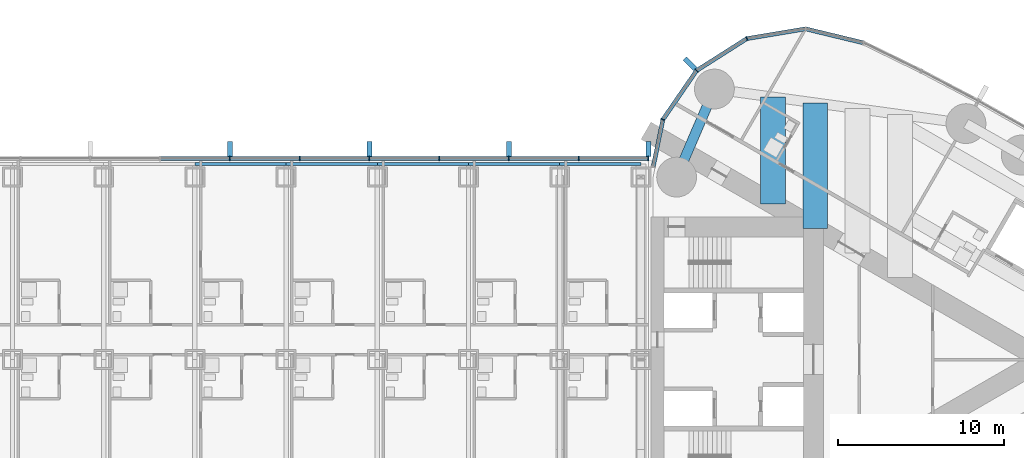
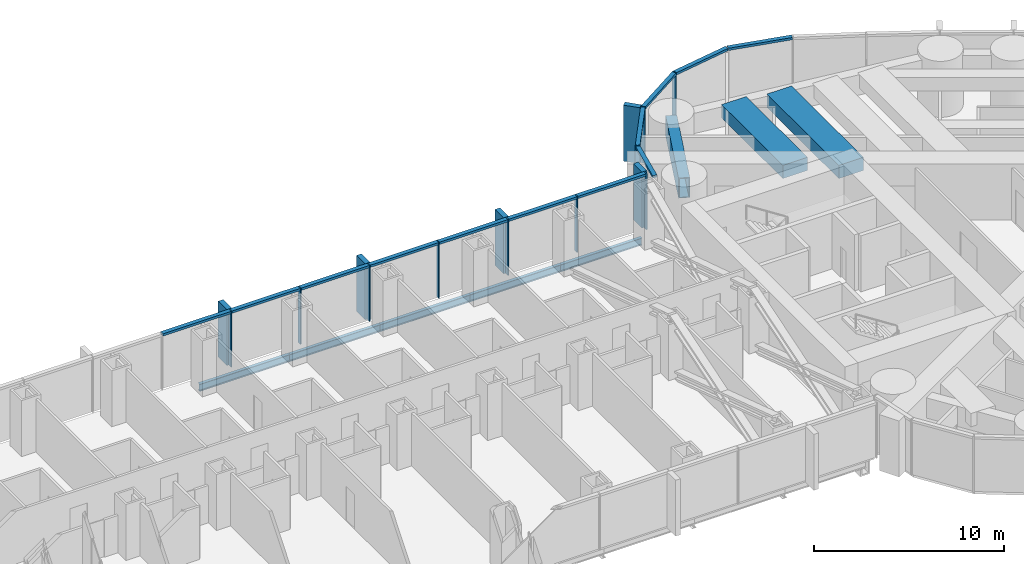
# One storey, part 10 of 23: 27 members, 8 beams, 2 elements without a shape of their own.
"""IFC4 building model written with IfcOpenShell, lengths in metres."""

from ifc_helpers import new_model, si_unit, direction, frame, origin, origin_2d, place, context, subcontext, project, spatial, rectangle, hollow_rectangle, i_section, extrude, material, material_profile, profile_set, type_object, element, aggregate, save


model = new_model("IFC4")

# Units and contexts
model_context = context("Model", 3, precision=1e-05, world=origin(), true_north=direction((0.0, 1.0)))
body_context = subcontext(model_context, "Body", "Model", "MODEL_VIEW")
ifc_project = project(units=[si_unit("LENGTHUNIT", "METRE"), si_unit("AREAUNIT", "SQUARE_METRE"), si_unit("VOLUMEUNIT", "CUBIC_METRE"), si_unit("PLANEANGLEUNIT", "RADIAN"), si_unit("MASSUNIT", "GRAM", prefix="KILO")], contexts=[model_context])

# Site, building, storey
site_placement = place(None, origin())
site = spatial("IfcSite", under=ifc_project, at=site_placement, CompositionType="ELEMENT")
building_placement = place(site_placement, origin())
building = spatial("IfcBuilding", under=site, at=building_placement, Name="Lancet Gate Hotel", CompositionType="ELEMENT")
storey_placement = place(building_placement, frame((0.0, 0.0, 215.300048828125)))
storey = spatial("IfcBuildingStorey", under=building, at=storey_placement, Name="L57", CompositionType="ELEMENT", Elevation=215.300048828125)

# Curtain wall, members
ifc_material_1 = material(Name="Aluminium curtain wall", Category="aluminium")
curtain_wall_type_1 = type_object("IfcCurtainWallType", Name="Tower unitised curtain wall", PredefinedType="USERDEFINED", material=ifc_material_1)
curtain_wall_1_placement = place(storey_placement, origin())
curtain_wall_1 = element("IfcCurtainWall", 1, at=curtain_wall_1_placement, inside=storey, type_object=curtain_wall_type_1, Name="T2 L57 curtain wall 1", ObjectType="UNITISED CURTAIN WALL", PredefinedType="USERDEFINED")
ifc_material_2 = material(Name="Aluminium mullion", Category="aluminium")
ifc_material_profile_1 = material_profile(ifc_material_2, rectangle(XDim=0.06494140625, YDim=0.25, at=origin_2d()), Name="MULLION 65x250")
ifc_profile_set_1 = profile_set([ifc_material_profile_1], Name="Aluminium mullion")
member_type_1 = type_object("IfcMemberType", Name="Aluminium mullion 65x250", PredefinedType="MULLION", material=ifc_profile_set_1)
member_1_placement = place(storey_placement, frame((33.283203125, 19.353515625, 0.0), z_axis=(0.0, 0.0, 1.0), x_axis=(-0.93394321776, -0.357421412343, 0.0)))
member_1 = element("IfcMember", 2, at=member_1_placement, type_object=member_type_1, Name="T2 L57 curtain wall 1 mullion 24", PredefinedType="MULLION", context=body_context, shape_type="SweptSolid", body=[
    extrude(rectangle(XDim=0.06494140625, YDim=0.25, at=origin_2d()), origin(), (0.0, 0.0, 1.0), 3.599853515625),
])
member_2_placement = place(storey_placement, frame((30.25244140625, 17.42626953125, 0.0), z_axis=(0.0, 0.0, 1.0), x_axis=(-0.719809077627, -0.694172090886, 0.0)))
member_2 = element("IfcMember", 3, at=member_2_placement, type_object=member_type_1, Name="T2 L57 curtain wall 1 mullion 25", PredefinedType="MULLION", context=body_context, shape_type="SweptSolid", body=[
    extrude(rectangle(XDim=0.06494140625, YDim=0.25, at=origin_2d()), origin(), (0.0, 0.0, 1.0), 3.599853515625),
])
member_3_placement = place(storey_placement, frame((28.216552734375, 14.467529296875, 0.0), z_axis=(0.0, 0.0, 1.0), x_axis=(-0.410881108328, -0.911688935339, 0.0)))
member_3 = element("IfcMember", 4, at=member_3_placement, type_object=member_type_1, Name="T2 L57 curtain wall 1 mullion 26", PredefinedType="MULLION", context=body_context, shape_type="SweptSolid", body=[
    extrude(rectangle(XDim=0.06494140625, YDim=0.25, at=origin_2d()), origin(), (0.0, 0.0, 1.0), 3.599853515625),
])

ifc_material_3 = material(Name="Aluminium curtain wall", Category="aluminium")
curtain_wall_type_2 = type_object("IfcCurtainWallType", Name="Bridge block curtain wall", PredefinedType="USERDEFINED", material=ifc_material_3)
curtain_wall_2_placement = place(storey_placement, origin())
curtain_wall_2 = element("IfcCurtainWall", 5, at=curtain_wall_2_placement, inside=storey, type_object=curtain_wall_type_2, Name="Bridge block L57 curtain wall N", ObjectType="UNITISED CURTAIN WALL", PredefinedType="USERDEFINED")
member_4_placement = place(storey_placement, frame((27.35009765625, 12.1201171875, 0.0), z_axis=(0.0, 0.0, 1.0), x_axis=(-1.0, 0.0, 0.0)))
member_4 = element("IfcMember", 6, at=member_4_placement, type_object=member_type_1, Name="Bridge block L57 curtain wall N mullion 1", PredefinedType="MULLION", context=body_context, shape_type="SweptSolid", body=[
    extrude(rectangle(XDim=0.06494140625, YDim=0.25, at=origin_2d()), origin(), (0.0, 0.0, 1.0), 3.599853515625),
])
member_5_placement = place(storey_placement, frame((23.142333984375, 12.1201171875, 0.0), z_axis=(0.0, 0.0, 1.0), x_axis=(-1.0, 0.0, 0.0)))
member_5 = element("IfcMember", 7, at=member_5_placement, type_object=member_type_1, Name="Bridge block L57 curtain wall N mullion 2", PredefinedType="MULLION", context=body_context, shape_type="SweptSolid", body=[
    extrude(rectangle(XDim=0.06494140625, YDim=0.25, at=origin_2d()), origin(), (0.0, 0.0, 1.0), 3.599853515625),
])
member_6_placement = place(storey_placement, frame((18.9345703125, 12.1201171875, 0.0), z_axis=(0.0, 0.0, 1.0), x_axis=(-1.0, 0.0, 0.0)))
member_6 = element("IfcMember", 8, at=member_6_placement, type_object=member_type_1, Name="Bridge block L57 curtain wall N mullion 3", PredefinedType="MULLION", context=body_context, shape_type="SweptSolid", body=[
    extrude(rectangle(XDim=0.06494140625, YDim=0.25, at=origin_2d()), origin(), (0.0, 0.0, 1.0), 3.599853515625),
])
member_7_placement = place(storey_placement, frame((14.726806640625, 12.1201171875, 0.0), z_axis=(0.0, 0.0, 1.0), x_axis=(-1.0, 0.0, 0.0)))
member_7 = element("IfcMember", 9, at=member_7_placement, type_object=member_type_1, Name="Bridge block L57 curtain wall N mullion 4", PredefinedType="MULLION", context=body_context, shape_type="SweptSolid", body=[
    extrude(rectangle(XDim=0.06494140625, YDim=0.25, at=origin_2d()), origin(), (0.0, 0.0, 1.0), 3.599853515625),
])
member_8_placement = place(storey_placement, frame((10.519287109375, 12.1201171875, 0.0), z_axis=(0.0, 0.0, 1.0), x_axis=(-1.0, 0.0, 0.0)))
member_8 = element("IfcMember", 10, at=member_8_placement, type_object=member_type_1, Name="Bridge block L57 curtain wall N mullion 5", PredefinedType="MULLION", context=body_context, shape_type="SweptSolid", body=[
    extrude(rectangle(XDim=0.06494140625, YDim=0.25, at=origin_2d()), origin(), (0.0, 0.0, 1.0), 3.599853515625),
])
member_9_placement = place(storey_placement, frame((6.3115234375, 12.1201171875, 0.0), z_axis=(0.0, 0.0, 1.0), x_axis=(-1.0, 0.0, 0.0)))
member_9 = element("IfcMember", 11, at=member_9_placement, type_object=member_type_1, Name="Bridge block L57 curtain wall N mullion 6", PredefinedType="MULLION", context=body_context, shape_type="SweptSolid", body=[
    extrude(rectangle(XDim=0.06494140625, YDim=0.25, at=origin_2d()), origin(), (0.0, 0.0, 1.0), 3.599853515625),
])
member_10_placement = place(storey_placement, frame((2.103759765625, 12.1201171875, 0.0), z_axis=(0.0, 0.0, 1.0), x_axis=(-1.0, 0.0, 0.0)))
member_10 = element("IfcMember", 12, at=member_10_placement, type_object=member_type_1, Name="Bridge block L57 curtain wall N mullion 7", PredefinedType="MULLION", context=body_context, shape_type="SweptSolid", body=[
    extrude(rectangle(XDim=0.06494140625, YDim=0.25, at=origin_2d()), origin(), (0.0, 0.0, 1.0), 3.599853515625),
])

# Member
ifc_material_4 = material(Name="Aluminium transom", Category="aluminium")
ifc_material_profile_2 = material_profile(ifc_material_4, rectangle(XDim=0.25, YDim=0.14990234375, at=origin_2d()), Name="TRANSOM 250x150")
ifc_profile_set_2 = profile_set([ifc_material_profile_2], Name="Aluminium transom")
member_type_2 = type_object("IfcMemberType", Name="Aluminium transom 250x150", PredefinedType="USERDEFINED", material=ifc_profile_set_2)
member_11_placement = place(storey_placement, frame((40.28564453125, 19.10595703125, 3.52490234375), z_axis=(-0.972002653858, 0.234969872307, 0.0), x_axis=(-0.234969872307, -0.972002653858, 0.0)))
member_11 = element("IfcMember", 13, at=member_11_placement, type_object=member_type_2, Name="T2 L57 curtain wall 1 transom 22", ObjectType="TRANSOM", PredefinedType="USERDEFINED", context=body_context, shape_type="SweptSolid", body=[
    extrude(rectangle(XDim=0.25, YDim=0.14990234375, at=origin_2d()), origin(), (0.0, 0.0, 1.0), 3.5263671875),
])

member_12_placement = place(storey_placement, frame((36.794189453125, 19.936767578125, 3.52490234375), z_axis=(-0.986483584545, -0.163860115412, 0.0), x_axis=(0.163860115412, -0.986483584545, 0.0)))
member_12 = element("IfcMember", 14, at=member_12_placement, type_object=member_type_2, Name="T2 L57 curtain wall 1 transom 23", ObjectType="TRANSOM", PredefinedType="USERDEFINED", context=body_context, shape_type="SweptSolid", body=[
    extrude(rectangle(XDim=0.25, YDim=0.14990234375, at=origin_2d()), origin(), (0.0, 0.0, 1.0), 3.526611328125),
])

member_13_placement = place(storey_placement, frame((33.255859375, 19.336181640625, 3.52490234375), z_axis=(-0.84385811281, -0.536566384938, 0.0), x_axis=(0.536566384938, -0.84385811281, 0.0)))
member_13 = element("IfcMember", 15, at=member_13_placement, type_object=member_type_2, Name="T2 L57 curtain wall 1 transom 24", ObjectType="TRANSOM", PredefinedType="USERDEFINED", context=body_context, shape_type="SweptSolid", body=[
    extrude(rectangle(XDim=0.25, YDim=0.14990234375, at=origin_2d()), origin(), (0.0, 0.0, 1.0), 3.52685546875),
])

member_14_placement = place(storey_placement, frame((30.234130859375, 17.399658203125, 3.52490234375), z_axis=(-0.566813768052, -0.82384595183, 0.0), x_axis=(0.82384595183, -0.566813768052, 0.0)))
member_14 = element("IfcMember", 16, at=member_14_placement, type_object=member_type_2, Name="T2 L57 curtain wall 1 transom 25", ObjectType="TRANSOM", PredefinedType="USERDEFINED", context=body_context, shape_type="SweptSolid", body=[
    extrude(rectangle(XDim=0.25, YDim=0.14990234375, at=origin_2d()), origin(), (0.0, 0.0, 1.0), 3.52685546875),
])

member_15_placement = place(storey_placement, frame((28.210205078125, 14.435546875, 3.52490234375), z_axis=(-0.199558559253, -0.97988590225, 0.0), x_axis=(0.97988590225, -0.199558559253, 0.0)))
member_15 = element("IfcMember", 17, at=member_15_placement, type_object=member_type_2, Name="T2 L57 curtain wall 1 transom 26", ObjectType="TRANSOM", PredefinedType="USERDEFINED", context=body_context, shape_type="SweptSolid", body=[
    extrude(rectangle(XDim=0.25, YDim=0.14990234375, at=origin_2d()), origin(), (0.0, 0.0, 1.0), 2.8359375),
])

member_16_placement = place(storey_placement, frame((27.3173828125, 12.1201171875, 3.52490234375), z_axis=(-1.0, 0.0, 0.0), x_axis=(0.0, -1.0, 0.0)))
member_16 = element("IfcMember", 18, at=member_16_placement, type_object=member_type_2, Name="Bridge block L57 curtain wall N transom 1", ObjectType="TRANSOM", PredefinedType="USERDEFINED", context=body_context, shape_type="SweptSolid", body=[
    extrude(rectangle(XDim=0.25, YDim=0.14990234375, at=origin_2d()), origin(), (0.0, 0.0, 1.0), 4.142578125),
])

member_17_placement = place(storey_placement, frame((23.10986328125, 12.1201171875, 3.52490234375), z_axis=(-1.0, 0.0, 0.0), x_axis=(0.0, -1.0, 0.0)))
member_17 = element("IfcMember", 19, at=member_17_placement, type_object=member_type_2, Name="Bridge block L57 curtain wall N transom 2", ObjectType="TRANSOM", PredefinedType="USERDEFINED", context=body_context, shape_type="SweptSolid", body=[
    extrude(rectangle(XDim=0.25, YDim=0.14990234375, at=origin_2d()), origin(), (0.0, 0.0, 1.0), 4.142822265625),
])

member_18_placement = place(storey_placement, frame((18.902099609375, 12.1201171875, 3.52490234375), z_axis=(-1.0, 0.0, 0.0), x_axis=(0.0, -1.0, 0.0)))
member_18 = element("IfcMember", 20, at=member_18_placement, type_object=member_type_2, Name="Bridge block L57 curtain wall N transom 3", ObjectType="TRANSOM", PredefinedType="USERDEFINED", context=body_context, shape_type="SweptSolid", body=[
    extrude(rectangle(XDim=0.25, YDim=0.14990234375, at=origin_2d()), origin(), (0.0, 0.0, 1.0), 4.142578125),
])

member_19_placement = place(storey_placement, frame((14.6943359375, 12.1201171875, 3.52490234375), z_axis=(-1.0, 0.0, 0.0), x_axis=(0.0, -1.0, 0.0)))
member_19 = element("IfcMember", 21, at=member_19_placement, type_object=member_type_2, Name="Bridge block L57 curtain wall N transom 4", ObjectType="TRANSOM", PredefinedType="USERDEFINED", context=body_context, shape_type="SweptSolid", body=[
    extrude(rectangle(XDim=0.25, YDim=0.14990234375, at=origin_2d()), origin(), (0.0, 0.0, 1.0), 4.142578125),
])

member_20_placement = place(storey_placement, frame((10.48681640625, 12.1201171875, 3.52490234375), z_axis=(-1.0, 0.0, 0.0), x_axis=(0.0, -1.0, 0.0)))
member_20 = element("IfcMember", 22, at=member_20_placement, type_object=member_type_2, Name="Bridge block L57 curtain wall N transom 5", ObjectType="TRANSOM", PredefinedType="USERDEFINED", context=body_context, shape_type="SweptSolid", body=[
    extrude(rectangle(XDim=0.25, YDim=0.14990234375, at=origin_2d()), origin(), (0.0, 0.0, 1.0), 4.142822265625),
])

member_21_placement = place(storey_placement, frame((6.279052734375, 12.1201171875, 3.52490234375), z_axis=(-1.0, 0.0, 0.0), x_axis=(0.0, -1.0, 0.0)))
member_21 = element("IfcMember", 23, at=member_21_placement, type_object=member_type_2, Name="Bridge block L57 curtain wall N transom 6", ObjectType="TRANSOM", PredefinedType="USERDEFINED", context=body_context, shape_type="SweptSolid", body=[
    extrude(rectangle(XDim=0.25, YDim=0.14990234375, at=origin_2d()), origin(), (0.0, 0.0, 1.0), 4.142822265625),
])

member_22_placement = place(storey_placement, frame((2.0712890625, 12.1201171875, 3.52490234375), z_axis=(-1.0, 0.0, 0.0), x_axis=(0.0, -1.0, 0.0)))
member_22 = element("IfcMember", 24, at=member_22_placement, type_object=member_type_2, Name="Bridge block L57 curtain wall N transom 7", ObjectType="TRANSOM", PredefinedType="USERDEFINED", context=body_context, shape_type="SweptSolid", body=[
    extrude(rectangle(XDim=0.25, YDim=0.14990234375, at=origin_2d()), origin(), (0.0, 0.0, 1.0), 4.142578125),
])

# Beams
ifc_material_5 = material(Name="Steel S355", Category="steel")
ifc_material_profile_3 = material_profile(ifc_material_5, i_section(OverallWidth=0.19140625, OverallDepth=0.4599609375, WebThickness=0.010009765625, FlangeThickness=0.01611328125, FilletRadius=0.01025390625, at=origin_2d()), Name="UKB 457x191x82")
ifc_profile_set_3 = profile_set([ifc_material_profile_3], Name="Steel S355")
beam_type_1 = type_object("IfcBeamType", Name="Block edge beam UKB 457x191x82", PredefinedType="SPANDREL", material=ifc_profile_set_3)
for number, where, z_axis, x_axis, name in (
    (25, (0.0, 11.800048828125, -0.429931640625), (1.0, 0.0, 0.0), (0.0, 1.0, 0.0), "Block edge beam N 5-6 L57"),
    (26, (5.5, 11.800048828125, -0.429931640625), (1.0, 0.0, 0.0), (0.0, 1.0, 0.0), "Block edge beam N 6-7 L57"),
    (27, (11.0, 11.800048828125, -0.429931640625), (1.0, 0.0, 0.0), (0.0, 1.0, 0.0), "Block edge beam N 7-8 L57"),
    (28, (16.5, 11.800048828125, -0.429931640625), (1.0, 0.0, 0.0), (0.0, 1.0, 0.0), "Block edge beam N 8-9 L57"),
):
    element("IfcBeam", number, at=place(storey_placement, frame(where, z_axis=z_axis, x_axis=x_axis)), inside=storey, type_object=beam_type_1, Name=name, PredefinedType="SPANDREL", context=body_context, shape_type="SweptSolid", body=[
        extrude(i_section(OverallWidth=0.19140625, OverallDepth=0.4599609375, WebThickness=0.010009765625, FlangeThickness=0.01611328125, FilletRadius=0.01025390625, at=origin_2d()), origin(), (0.0, 0.0, 1.0), 5.5),
    ])
beam_1_placement = place(storey_placement, frame((22.0, 11.800048828125, -0.429931640625), z_axis=(1.0, 0.0, 0.0), x_axis=(0.0, 1.0, 0.0)))
element("IfcBeam", 29, at=beam_1_placement, inside=storey, type_object=beam_type_1, Name="Block edge beam N 9-10 L57", PredefinedType="SPANDREL", context=body_context, shape_type="SweptSolid", body=[
    extrude(i_section(OverallWidth=0.19140625, OverallDepth=0.4599609375, WebThickness=0.010009765625, FlangeThickness=0.01611328125, FilletRadius=0.01025390625, at=origin_2d()), origin(), (0.0, 0.0, 1.0), 4.89990234375),
])
ifc_material_6 = material(Name="Steel S460QL", Category="steel")
ifc_material_profile_4 = material_profile(ifc_material_6, hollow_rectangle(XDim=0.60009765625, YDim=1.300048828125, WallThickness=0.050048828125, at=origin_2d()), Name="BOX 1300x600x50")
ifc_profile_set_4 = profile_set([ifc_material_profile_4], Name="Steel S460QL")
beam_type_2 = type_object("IfcBeamType", Name="Edge beam BOX 1300x600x50", PredefinedType="SPANDREL", material=ifc_profile_set_4)
beam_2_placement = place(storey_placement, frame((29.050048828125, 11.0, 2.699951171875), z_axis=(0.394250694824, 0.91900293233, 0.0), x_axis=(-0.91900293233, 0.394250694824, 0.0)))
element("IfcBeam", 30, at=beam_2_placement, inside=storey, type_object=beam_type_2, Name="T2 edge beam EB2 L57", PredefinedType="SPANDREL", context=body_context, shape_type="SweptSolid", body=[
    extrude(hollow_rectangle(XDim=0.60009765625, YDim=1.300048828125, WallThickness=0.050048828125, at=origin_2d()), origin(), (0.0, 0.0, 1.0), 5.77880859375),
])

# Member
ifc_material_7 = material(Name="Precast concrete C50/60", Category="concrete")
ifc_material_profile_5 = material_profile(ifc_material_7, rectangle(XDim=0.300048828125, YDim=0.89990234375, at=origin_2d()), Name="FIN 300x900")
ifc_profile_set_5 = profile_set([ifc_material_profile_5], Name="Precast concrete C50/60")
member_type_3 = type_object("IfcMemberType", Name="Exposed concrete fin 300x900", PredefinedType="USERDEFINED", material=ifc_profile_set_5)
member_23_placement = place(storey_placement, frame((29.853271484375, 17.84033203125, 0.0), z_axis=(0.0, 0.0, 1.0), x_axis=(-0.719809077627, -0.694172090886, 0.0)))
member_23 = element("IfcMember", 31, at=member_23_placement, type_object=member_type_3, Name="T2 L57 curtain wall 1 fin 25", ObjectType="FIN", PredefinedType="USERDEFINED", context=body_context, shape_type="SweptSolid", body=[
    extrude(rectangle(XDim=0.300048828125, YDim=0.89990234375, at=origin_2d()), origin(), (0.0, 0.0, 1.0), 3.599853515625),
])

aggregate(curtain_wall_1, [member_1, member_2, member_23, member_3, member_11, member_12, member_13, member_14, member_15])

member_24_placement = place(storey_placement, frame((27.35009765625, 12.695068359375, 0.0), z_axis=(0.0, 0.0, 1.0), x_axis=(-1.0, 0.0, 0.0)))
member_24 = element("IfcMember", 32, at=member_24_placement, type_object=member_type_3, Name="Bridge block L57 curtain wall N fin 1", ObjectType="FIN", PredefinedType="USERDEFINED", context=body_context, shape_type="SweptSolid", body=[
    extrude(rectangle(XDim=0.300048828125, YDim=0.89990234375, at=origin_2d()), origin(), (0.0, 0.0, 1.0), 3.599853515625),
])

member_25_placement = place(storey_placement, frame((18.9345703125, 12.695068359375, 0.0), z_axis=(0.0, 0.0, 1.0), x_axis=(-1.0, 0.0, 0.0)))
member_25 = element("IfcMember", 33, at=member_25_placement, type_object=member_type_3, Name="Bridge block L57 curtain wall N fin 3", ObjectType="FIN", PredefinedType="USERDEFINED", context=body_context, shape_type="SweptSolid", body=[
    extrude(rectangle(XDim=0.300048828125, YDim=0.89990234375, at=origin_2d()), origin(), (0.0, 0.0, 1.0), 3.599853515625),
])

member_26_placement = place(storey_placement, frame((10.519287109375, 12.695068359375, 0.0), z_axis=(0.0, 0.0, 1.0), x_axis=(-1.0, 0.0, 0.0)))
member_26 = element("IfcMember", 34, at=member_26_placement, type_object=member_type_3, Name="Bridge block L57 curtain wall N fin 5", ObjectType="FIN", PredefinedType="USERDEFINED", context=body_context, shape_type="SweptSolid", body=[
    extrude(rectangle(XDim=0.300048828125, YDim=0.89990234375, at=origin_2d()), origin(), (0.0, 0.0, 1.0), 3.599853515625),
])

member_27_placement = place(storey_placement, frame((2.103759765625, 12.695068359375, 0.0), z_axis=(0.0, 0.0, 1.0), x_axis=(-1.0, 0.0, 0.0)))
member_27 = element("IfcMember", 35, at=member_27_placement, type_object=member_type_3, Name="Bridge block L57 curtain wall N fin 7", ObjectType="FIN", PredefinedType="USERDEFINED", context=body_context, shape_type="SweptSolid", body=[
    extrude(rectangle(XDim=0.300048828125, YDim=0.89990234375, at=origin_2d()), origin(), (0.0, 0.0, 1.0), 3.599853515625),
])

aggregate(curtain_wall_2, [member_4, member_24, member_5, member_6, member_25, member_7, member_8, member_26, member_9, member_10, member_27, member_16, member_17, member_18, member_19, member_20, member_21, member_22])

# Beams
ifc_material_8 = material(Name="Concrete C50/60", Category="concrete")
ifc_material_profile_6 = material_profile(ifc_material_8, rectangle(XDim=1.5, YDim=0.85009765625, at=origin_2d()), Name="RC 1500x850")
ifc_profile_set_6 = profile_set([ifc_material_profile_6], Name="Concrete C50/60")
beam_type_3 = type_object("IfcBeamType", Name="Floor beam RC 1500x850", PredefinedType="BEAM", material=ifc_profile_set_6)
beam_3_placement = place(storey_placement, frame((34.859619140625, 9.377685546875, 2.925048828125), z_axis=(0.0, 1.0, 0.0), x_axis=(-1.0, 0.0, 0.0)))
element("IfcBeam", 36, at=beam_3_placement, inside=storey, type_object=beam_type_3, Name="T2 floor beam F02N L57", PredefinedType="BEAM", context=body_context, shape_type="SweptSolid", body=[
    extrude(rectangle(XDim=1.5, YDim=0.85009765625, at=origin_2d()), origin(), (0.0, 0.0, 1.0), 6.44775390625),
])
beam_4_placement = place(storey_placement, frame((37.412841796875, 7.903564453125, 2.925048828125), z_axis=(0.0, 1.0, 0.0), x_axis=(-1.0, 0.0, 0.0)))
element("IfcBeam", 37, at=beam_4_placement, inside=storey, type_object=beam_type_3, Name="T2 floor beam F04N L57", PredefinedType="BEAM", context=body_context, shape_type="SweptSolid", body=[
    extrude(rectangle(XDim=1.5, YDim=0.85009765625, at=origin_2d()), origin(), (0.0, 0.0, 1.0), 7.57080078125),
])

save(model, "model.ifc")
